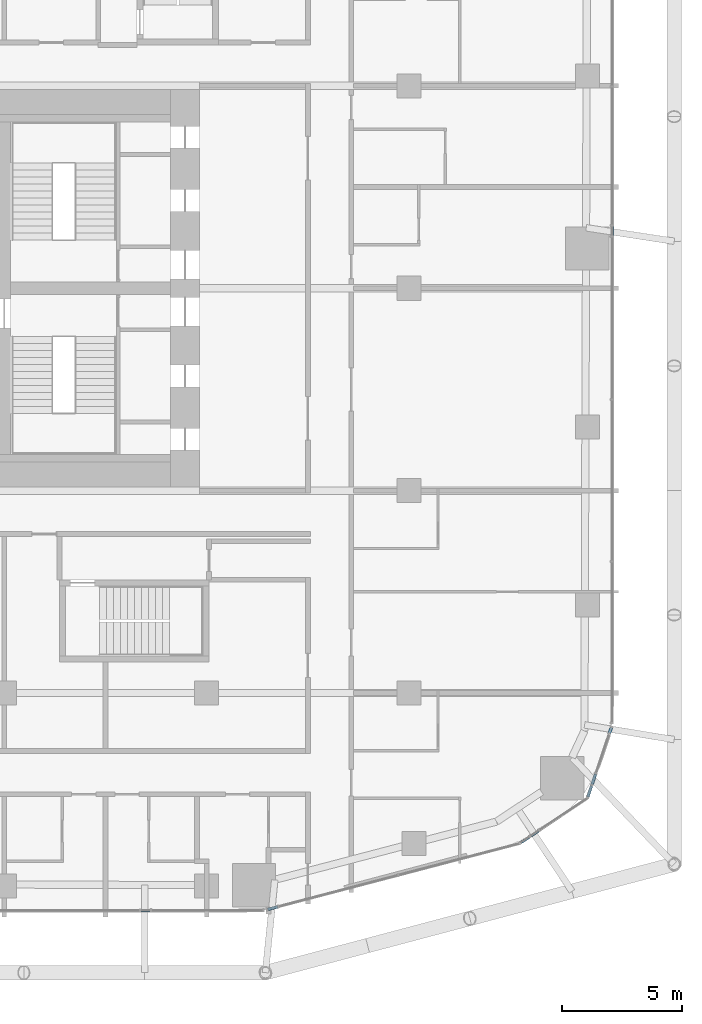
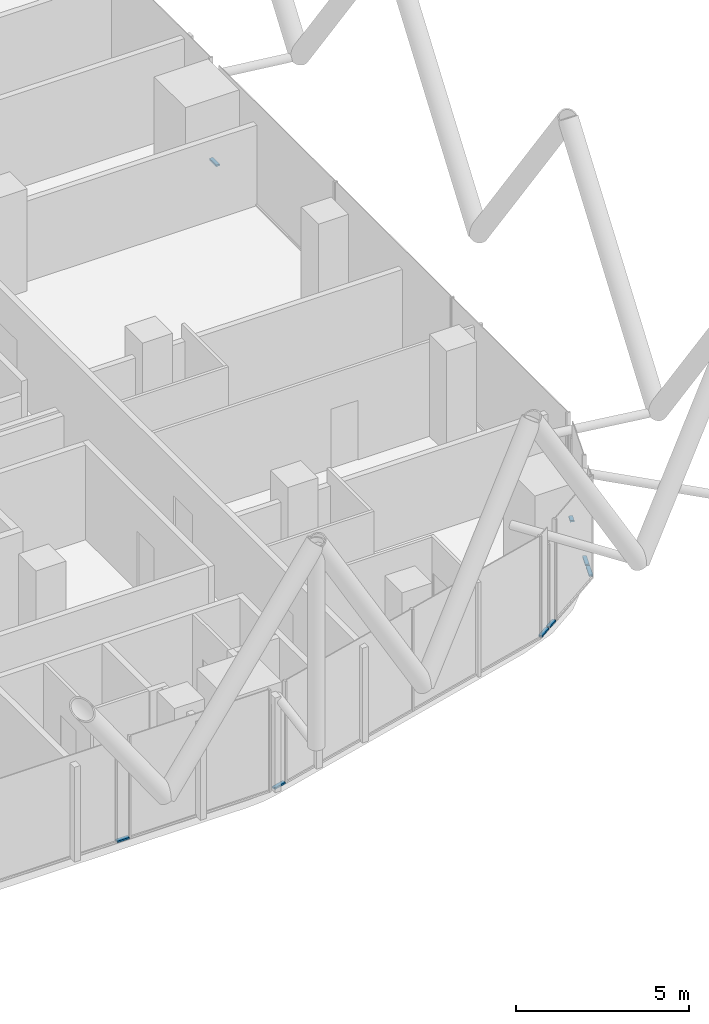
# One storey, part 17 of 38: 8 members, 8 elements without a shape of their own.
"""IFC4 building model written with IfcOpenShell, lengths in metres."""

import ifcopenshell
import ifcopenshell.guid

model = None  # the IFC model being written
_history = None  # IfcOwnerHistory: only IFC2X3 demands one
_inside = {}  # id of a spatial element -> (the spatial element, [elements in it])
_under = {}  # id of a project, library or spatial element -> (it, [spatial elements below it])
_declared = {}  # id of a project -> (the project, [libraries it declares])
_typed = {}  # id of a type object -> (the type object, [elements of that type])
_made_of = {}  # id of a material, layer set ... -> (it, [elements and type objects made of it])


def new_model(schema):
    """Start an empty IFC model of exactly this schema.

    Asked for "IFC4X3", IfcOpenShell would pick the latest addendum, in which some entities
    have other attributes; the version numbers below select the first issue.
    IFC2X3 requires an IfcOwnerHistory on every rooted entity: one is made here for all.
    """
    global model, _history
    if schema == "IFC4X3":
        model = ifcopenshell.file(schema_version=(4, 3, 0, 0))
    else:
        model = ifcopenshell.file(schema=schema)
    _inside.clear()
    _under.clear()
    _declared.clear()
    _typed.clear()
    _made_of.clear()
    _history = None
    if model.schema == "IFC2X3":
        org = make("IfcOrganization", Name="unknown")
        user = make(
            "IfcPersonAndOrganization",
            ThePerson=make("IfcPerson", FamilyName="unknown"),
            TheOrganization=org,
        )
        app = make(
            "IfcApplication",
            ApplicationDeveloper=org,
            Version="unknown",
            ApplicationFullName="unknown",
            ApplicationIdentifier="unknown",
        )
        _history = make(
            "IfcOwnerHistory",
            OwningUser=user,
            OwningApplication=app,
            ChangeAction="ADDED",
            CreationDate=0,
        )
    return model


def make(cls, **values):
    """One entity of the class cls with the attributes given. An attribute that is None is left unset."""
    return model.create_entity(
        cls, **{name: value for name, value in values.items() if value is not None}
    )


def rooted(cls, **values):
    """An entity with a GlobalId (a new one), such as an element, a storey or a relation."""
    return make(cls, GlobalId=ifcopenshell.guid.new(), OwnerHistory=_history, **values)


def si_unit(unit_type, name, prefix=None):
    """IfcSIUnit, for example si_unit("LENGTHUNIT", "METRE", prefix="MILLI")."""
    return make("IfcSIUnit", UnitType=unit_type, Prefix=prefix, Name=name)


def assignment(units):
    """IfcUnitAssignment: the units of a project."""
    return None if units is None else make("IfcUnitAssignment", Units=units)


def point(xyz):
    """IfcCartesianPoint."""
    return None if xyz is None else make("IfcCartesianPoint", Coordinates=xyz)


def direction(xyz):
    """IfcDirection."""
    return None if xyz is None else make("IfcDirection", DirectionRatios=xyz)


def frame(location, z_axis=None, x_axis=None):
    """IfcAxis2Placement3D, a coordinate frame: its origin and axes. An axis left out is left unset."""
    return make(
        "IfcAxis2Placement3D",
        Location=point(location),
        Axis=direction(z_axis),
        RefDirection=direction(x_axis),
    )


def frame_2d(location, x_axis=None):
    """IfcAxis2Placement2D, a coordinate frame in the plane: its origin and x axis."""
    return make(
        "IfcAxis2Placement2D", Location=point(location), RefDirection=direction(x_axis)
    )


def origin():
    """The frame at (0, 0, 0) with its axes left unset."""
    return frame((0.0, 0.0, 0.0))


def origin_2d():
    """The frame at (0, 0) in the plane with its x axis left unset."""
    return frame_2d((0.0, 0.0))


def place(relative_to, where):
    """IfcLocalPlacement: puts the frame where relative to a parent placement (None: the world)."""
    return make(
        "IfcLocalPlacement", PlacementRelTo=relative_to, RelativePlacement=where
    )


def context(
    kind, dimensions, precision=None, world=None, true_north=None, identifier=None
):
    """IfcGeometricRepresentationContext, for example the 3D "Model" context."""
    return make(
        "IfcGeometricRepresentationContext",
        ContextIdentifier=identifier,
        ContextType=kind,
        CoordinateSpaceDimension=dimensions,
        Precision=precision,
        WorldCoordinateSystem=world,
        TrueNorth=true_north,
    )


def subcontext(parent, identifier, kind, view, scale=None):
    """IfcGeometricRepresentationSubContext, for example "Body" below "Model"."""
    return make(
        "IfcGeometricRepresentationSubContext",
        ContextIdentifier=identifier,
        ContextType=kind,
        ParentContext=parent,
        TargetScale=scale,
        TargetView=view,
    )


def project(units=None, contexts=None):
    """IfcProject with its units and contexts."""
    return rooted(
        "IfcProject",
        Name="project",
        RepresentationContexts=contexts,
        UnitsInContext=assignment(units),
    )


def spatial(cls, under=None, at=None, **own):
    """A site, building, storey or space (cls), placed at a placement, below another one or the project."""
    s = rooted(cls, ObjectPlacement=at, **own)
    if under is not None:
        _under.setdefault(under.id(), (under, []))[1].append(s)
    return s


def profile(cls, at=None, kind="AREA", **sizes):
    """A parametric profile (cls). Its sizes go by their IFC names, for example OverallWidth=200.0."""
    return make(cls, ProfileType=kind, Position=at, **sizes)


def rectangle(**sizes):
    """IfcRectangleProfileDef."""
    return profile("IfcRectangleProfileDef", **sizes)


def extrude(swept, where, along, depth):
    """IfcExtrudedAreaSolid: the profile swept, set in the frame where, extruded along a direction by depth."""
    return make(
        "IfcExtrudedAreaSolid",
        SweptArea=swept,
        Position=where,
        ExtrudedDirection=direction(along),
        Depth=depth,
    )


def shape(context_of_items, identifier, shape_type, items):
    """IfcShapeRepresentation: the items that make up one representation, for example the "Body"."""
    return make(
        "IfcShapeRepresentation",
        ContextOfItems=context_of_items,
        RepresentationIdentifier=identifier,
        RepresentationType=shape_type,
        Items=items,
    )


def material(Name=None, Category=None):
    """IfcMaterial."""
    return make("IfcMaterial", Name=Name, Category=Category)


def layer(
    of_material, thickness, ventilated=None, Name=None, Category=None, Priority=None
):
    """IfcMaterialLayer: one layer of a wall or slab, of a material (None: an air gap)."""
    return make(
        "IfcMaterialLayer",
        Material=of_material,
        LayerThickness=thickness,
        IsVentilated=ventilated,
        Name=Name,
        Category=Category,
        Priority=Priority,
    )


def layer_set(layers, Name=None):
    """IfcMaterialLayerSet."""
    return make("IfcMaterialLayerSet", MaterialLayers=layers, LayerSetName=Name)


def material_profile(
    of_material, cross_section, Name=None, Category=None, Priority=None
):
    """IfcMaterialProfile: a cross section and its material."""
    return make(
        "IfcMaterialProfile",
        Name=Name,
        Material=of_material,
        Profile=cross_section,
        Priority=Priority,
        Category=Category,
    )


def profile_set(profiles, Name=None, composite=None):
    """IfcMaterialProfileSet."""
    return make(
        "IfcMaterialProfileSet",
        Name=Name,
        MaterialProfiles=profiles,
        CompositeProfile=composite,
    )


def made_of(thing, what):
    """Note that an element or type object is made of a material, layer set ...; save() writes the relation."""
    if what is not None:
        _made_of.setdefault(what.id(), (what, []))[1].append(thing)
    return thing


def type_object(cls, material=None, **own):
    """A type object (cls), such as IfcWallType, which elements share."""
    return made_of(rooted(cls, **own), material)


def element(
    cls,
    number,
    at=None,
    inside=None,
    cuts=None,
    type_object=None,
    material=None,
    context=None,
    identifier="Body",
    shape_type=None,
    held_by="IfcProductDefinitionShape",
    body=None,
    shapes=None,
    **own,
):
    """One element of the class cls, such as IfcWall. Its Tag is "e" and its number.

    at: its placement. inside: the storey or other place that contains it. cuts: it is an
    opening in that element (IfcRelVoidsElement). A single representation is given by context,
    identifier, shape_type and body (its items); several are given by shapes. held_by: the class
    of the entity that holds the representations. save() writes the other relations.
    """
    e = rooted(cls, Tag="e%d" % number, ObjectPlacement=at, **own)
    if body is not None:
        shapes = [shape(context, identifier, shape_type, body)]
    if shapes is not None:
        e.Representation = make(held_by, Representations=shapes)
    if inside is not None:
        _inside.setdefault(inside.id(), (inside, []))[1].append(e)
    if cuts is not None:
        rooted(
            "IfcRelVoidsElement", RelatingBuildingElement=cuts, RelatedOpeningElement=e
        )
    if type_object is not None:
        _typed.setdefault(type_object.id(), (type_object, []))[1].append(e)
    return made_of(e, material)


def aggregate(whole, parts):
    """IfcRelAggregates: a whole, such as a stair, and the parts it consists of."""
    return rooted("IfcRelAggregates", RelatingObject=whole, RelatedObjects=parts)


def save(model, path):
    """Write the relations noted so far, then the file.

    IfcRelAggregates (storeys below a building ...), IfcRelContainedInSpatialStructure (elements
    in a storey), IfcRelDefinesByType, IfcRelAssociatesMaterial and IfcRelDeclares: one each for
    every whole, place, type object, material and project.
    """
    for whole, parts in _under.values():
        aggregate(whole, parts)
    for where, things in _inside.values():
        rooted(
            "IfcRelContainedInSpatialStructure",
            RelatedElements=things,
            RelatingStructure=where,
        )
    for kind, things in _typed.values():
        rooted("IfcRelDefinesByType", RelatedObjects=things, RelatingType=kind)
    for what, things in _made_of.values():
        rooted("IfcRelAssociatesMaterial", RelatedObjects=things, RelatingMaterial=what)
    for by, libraries in _declared.values():
        rooted("IfcRelDeclares", RelatingContext=by, RelatedDefinitions=libraries)
    model.write(path)


model = new_model("IFC4")

# Units and contexts
model_context = context("Model", 3, precision=1e-05, world=origin(), true_north=direction((0.0, 1.0)))
body_context = subcontext(model_context, "Body", "Model", "MODEL_VIEW")
ifc_project = project(units=[si_unit("LENGTHUNIT", "METRE"), si_unit("AREAUNIT", "SQUARE_METRE"), si_unit("VOLUMEUNIT", "CUBIC_METRE"), si_unit("PLANEANGLEUNIT", "RADIAN"), si_unit("MASSUNIT", "GRAM", prefix="KILO")], contexts=[model_context])

# Site, building, storey
site_placement = place(None, origin())
site = spatial("IfcSite", under=ifc_project, at=site_placement, CompositionType="ELEMENT")
building_placement = place(site_placement, origin())
building = spatial("IfcBuilding", under=site, at=building_placement, Name="Marenta Gate Hotel Tower", CompositionType="ELEMENT")
storey_placement = place(building_placement, frame((0.0, 0.0, 40.10009765625)))
storey = spatial("IfcBuildingStorey", under=building, at=storey_placement, Name="L07", CompositionType="ELEMENT", Elevation=40.10009765625)

# Curtain wall, member
ifc_material_1 = material(Name="Tinted insulated glass in bronze anodised frame", Category="glass")
ifc_layer = layer(ifc_material_1, 0.1201171875)
ifc_layer_set = layer_set([ifc_layer], Name="Tinted insulated glass in bronze anodised frame")
curtain_wall_type = type_object("IfcCurtainWallType", Name="Tower unitised curtain wall CW1", PredefinedType="NOTDEFINED", material=ifc_layer_set)
curtain_wall_1_placement = place(storey_placement, origin())
curtain_wall_1 = element("IfcCurtainWall", 1, at=curtain_wall_1_placement, inside=storey, type_object=curtain_wall_type, Name="CW1 run G21", PredefinedType="NOTDEFINED")
ifc_material_2 = material(Name="Bronze anodised aluminium", Category="aluminium")
ifc_material_profile = material_profile(ifc_material_2, rectangle(XDim=0.1201171875, YDim=0.06005859375, at=origin_2d()), Name="Transom CW1 60x120 bronze anodised aluminium")
ifc_profile_set = profile_set([ifc_material_profile], Name="Bronze anodised aluminium")
member_type = type_object("IfcMemberType", Name="Transom CW1 60x120 bronze anodised aluminium", PredefinedType="USERDEFINED", material=ifc_profile_set)
member_1_placement = place(storey_placement, frame((9.86669921875, -17.4189453125, 0.02978515625), z_axis=(0.999999806866, 0.00062150392, 0.0), x_axis=(-0.00062150392, 0.999999806866, 0.0)))
member_1 = element("IfcMember", 2, at=member_1_placement, type_object=member_type, Name="CW1 transom 1.1", ObjectType="TRANSOM", PredefinedType="USERDEFINED", context=body_context, shape_type="SweptSolid", body=[
    extrude(rectangle(XDim=0.1201171875, YDim=0.06005859375, at=origin_2d()), origin(), (0.0, 0.0, 1.0), 0.392822265625),
])
aggregate(curtain_wall_1, [member_1])

curtain_wall_2_placement = place(storey_placement, origin())
curtain_wall_2 = element("IfcCurtainWall", 3, at=curtain_wall_2_placement, inside=storey, type_object=curtain_wall_type, Name="CW1 run G23", PredefinedType="NOTDEFINED")
member_2_placement = place(storey_placement, frame((15.13232421875, -17.376708984375, 0.02978515625), z_axis=(0.967298175174, 0.253641952966, 0.0), x_axis=(-0.253641952966, 0.967298175174, 0.0)))
member_2 = element("IfcMember", 4, at=member_2_placement, type_object=member_type, Name="CW1 transom 1.1", ObjectType="TRANSOM", PredefinedType="USERDEFINED", context=body_context, shape_type="SweptSolid", body=[
    extrude(rectangle(XDim=0.1201171875, YDim=0.06005859375, at=origin_2d()), origin(), (0.0, 0.0, 1.0), 0.423583984375),
])
aggregate(curtain_wall_2, [member_2])

curtain_wall_3_placement = place(storey_placement, origin())
curtain_wall_3 = element("IfcCurtainWall", 5, at=curtain_wall_3_placement, inside=storey, type_object=curtain_wall_type, Name="CW1 run G25", PredefinedType="NOTDEFINED")
member_3_placement = place(storey_placement, frame((25.617431640625, -14.6103515625, 0.02978515625), z_axis=(0.832549312002, 0.55395093924, 0.0), x_axis=(-0.55395093924, 0.832549312002, 0.0)))
member_3 = element("IfcMember", 6, at=member_3_placement, type_object=member_type, Name="CW1 transom 1.1", ObjectType="TRANSOM", PredefinedType="USERDEFINED", context=body_context, shape_type="SweptSolid", body=[
    extrude(rectangle(XDim=0.1201171875, YDim=0.06005859375, at=origin_2d()), origin(), (0.0, 0.0, 1.0), 0.451416015625),
])
aggregate(curtain_wall_3, [member_3])

curtain_wall_4_placement = place(storey_placement, origin())
curtain_wall_4 = element("IfcCurtainWall", 7, at=curtain_wall_4_placement, inside=storey, type_object=curtain_wall_type, Name="CW1 run G26", PredefinedType="NOTDEFINED")
member_4_placement = place(storey_placement, frame((26.04296875, -14.3271484375, 0.02978515625), z_axis=(0.832718923271, 0.553695940772, 0.0), x_axis=(-0.553695940772, 0.832718923271, 0.0)))
member_4 = element("IfcMember", 8, at=member_4_placement, type_object=member_type, Name="CW1 transom 1.1", ObjectType="TRANSOM", PredefinedType="USERDEFINED", context=body_context, shape_type="SweptSolid", body=[
    extrude(rectangle(XDim=0.1201171875, YDim=0.06005859375, at=origin_2d()), origin(), (0.0, 0.0, 1.0), 0.392822265625),
])
aggregate(curtain_wall_4, [member_4])

curtain_wall_5_placement = place(storey_placement, origin())
curtain_wall_5 = element("IfcCurtainWall", 9, at=curtain_wall_5_placement, inside=storey, type_object=curtain_wall_type, Name="CW1 run G28", PredefinedType="NOTDEFINED")
member_5_placement = place(storey_placement, frame((28.4150390625, -12.70458984375, 0.02978515625), z_axis=(0.322254212139, 0.946653169201, 0.0), x_axis=(-0.946653169201, 0.322254212139, 0.0)))
member_5 = element("IfcMember", 10, at=member_5_placement, type_object=member_type, Name="CW1 transom 1.1", ObjectType="TRANSOM", PredefinedType="USERDEFINED", context=body_context, shape_type="SweptSolid", body=[
    extrude(rectangle(XDim=0.1201171875, YDim=0.06005859375, at=origin_2d()), origin(), (0.0, 0.0, 1.0), 0.485595703125),
])
aggregate(curtain_wall_5, [member_5])

curtain_wall_6_placement = place(storey_placement, origin())
curtain_wall_6 = element("IfcCurtainWall", 11, at=curtain_wall_6_placement, inside=storey, type_object=curtain_wall_type, Name="CW1 run G29", PredefinedType="NOTDEFINED")
member_6_placement = place(storey_placement, frame((28.5908203125, -12.18798828125, 0.02978515625), z_axis=(0.321912448893, 0.946769441442, 0.0), x_axis=(-0.946769441442, 0.321912448893, 0.0)))
member_6 = element("IfcMember", 12, at=member_6_placement, type_object=member_type, Name="CW1 transom 1.1", ObjectType="TRANSOM", PredefinedType="USERDEFINED", context=body_context, shape_type="SweptSolid", body=[
    extrude(rectangle(XDim=0.1201171875, YDim=0.06005859375, at=origin_2d()), origin(), (0.0, 0.0, 1.0), 0.450439453125),
])
aggregate(curtain_wall_6, [member_6])

curtain_wall_7_placement = place(storey_placement, origin())
curtain_wall_7 = element("IfcCurtainWall", 13, at=curtain_wall_7_placement, inside=storey, type_object=curtain_wall_type, Name="CW1 run G31", PredefinedType="NOTDEFINED")
member_7_placement = place(storey_placement, frame((29.3154296875, -10.057861328125, 0.02978515625), z_axis=(0.322169291866, 0.946682073021, 0.0), x_axis=(-0.946682073021, 0.322169291866, 0.0)))
member_7 = element("IfcMember", 14, at=member_7_placement, type_object=member_type, Name="CW1 transom 1.1", ObjectType="TRANSOM", PredefinedType="USERDEFINED", context=body_context, shape_type="SweptSolid", body=[
    extrude(rectangle(XDim=0.1201171875, YDim=0.06005859375, at=origin_2d()), origin(), (0.0, 0.0, 1.0), 0.246337890625),
])
aggregate(curtain_wall_7, [member_7])

curtain_wall_8_placement = place(storey_placement, origin())
curtain_wall_8 = element("IfcCurtainWall", 15, at=curtain_wall_8_placement, inside=storey, type_object=curtain_wall_type, Name="CW1 run G33", PredefinedType="NOTDEFINED")
member_8_placement = place(storey_placement, frame((29.4140625, 10.576904296875, 0.02978515625), z_axis=(0.0, 1.0, 0.0), x_axis=(-1.0, 0.0, 0.0)))
member_8 = element("IfcMember", 16, at=member_8_placement, type_object=member_type, Name="CW1 transom 1.1", ObjectType="TRANSOM", PredefinedType="USERDEFINED", context=body_context, shape_type="SweptSolid", body=[
    extrude(rectangle(XDim=0.1201171875, YDim=0.06005859375, at=origin_2d()), origin(), (0.0, 0.0, 1.0), 0.3984375),
])
aggregate(curtain_wall_8, [member_8])

save(model, "model.ifc")
